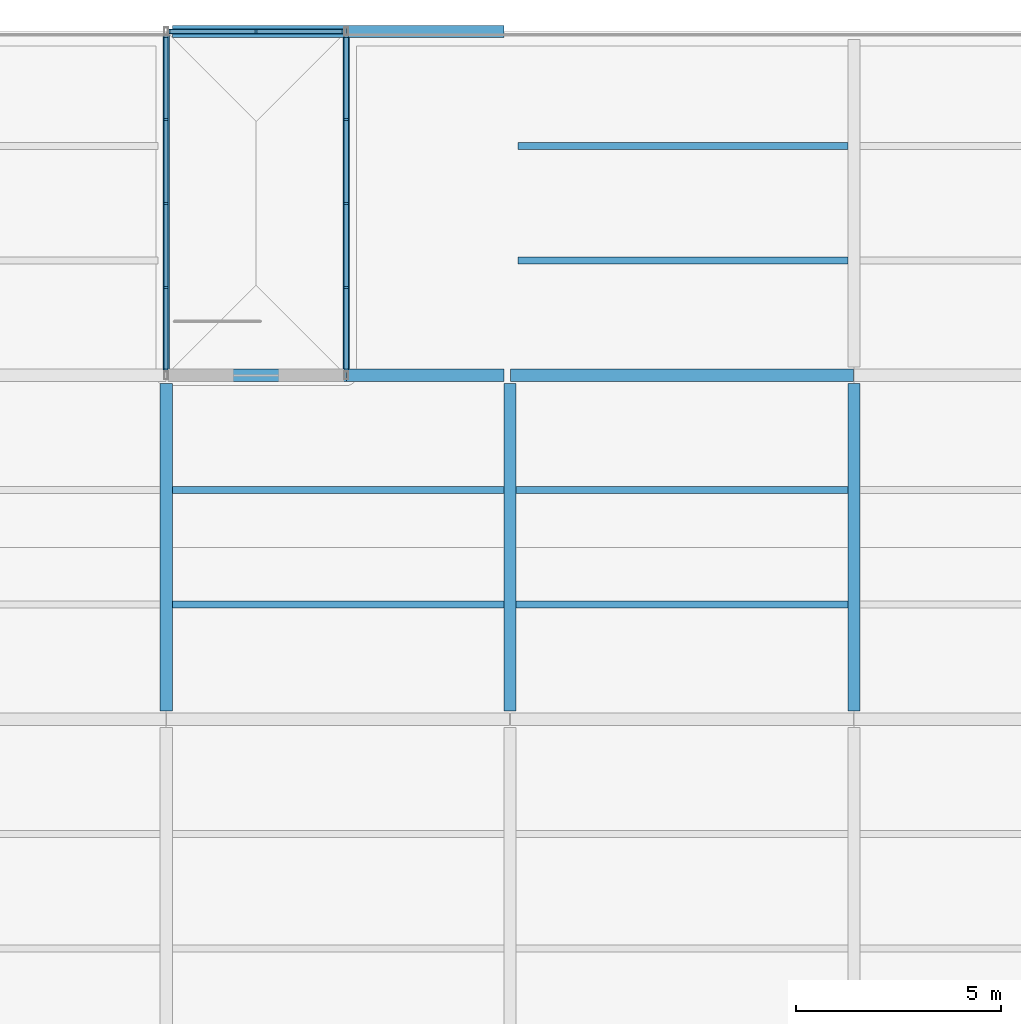
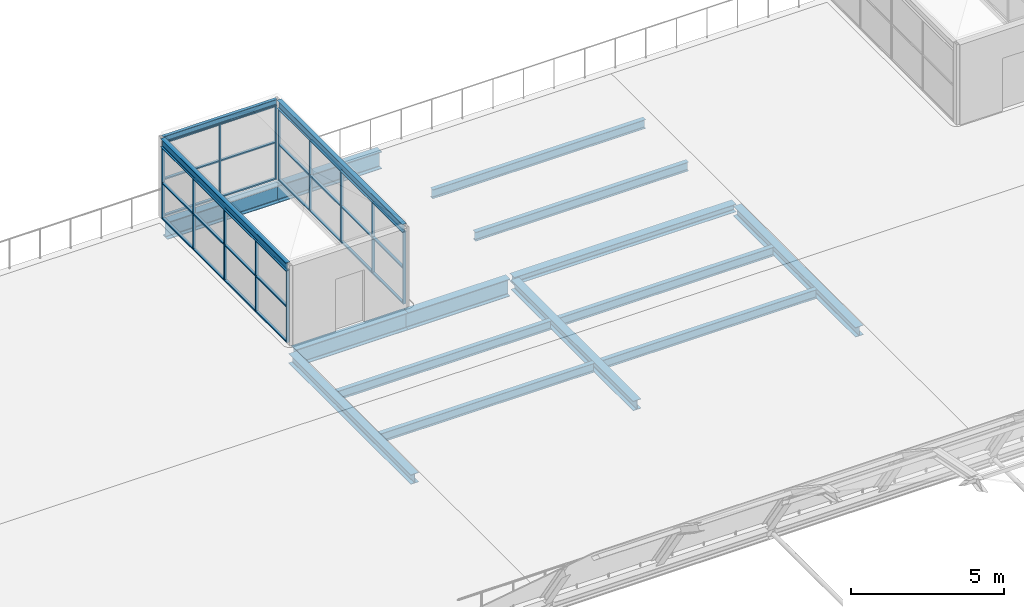
# One storey, part 20 of 58: 43 members, 17 beams, 3 elements without a shape of their own.
"""IFC4 building model written with IfcOpenShell, lengths in metres."""

from ifc_helpers import new_model, si_unit, direction, frame, origin, origin_2d, place, context, subcontext, project, spatial, rectangle, i_section, extrude, material, layer, layer_set, material_profile, profile_set, type_object, element, aggregate, save


model = new_model("IFC4")

# Units and contexts
model_context = context("Model", 3, precision=1e-05, world=origin(), true_north=direction((0.0, 1.0)))
body_context = subcontext(model_context, "Body", "Model", "MODEL_VIEW")
ifc_project = project(units=[si_unit("LENGTHUNIT", "METRE"), si_unit("AREAUNIT", "SQUARE_METRE"), si_unit("VOLUMEUNIT", "CUBIC_METRE"), si_unit("PLANEANGLEUNIT", "RADIAN"), si_unit("MASSUNIT", "GRAM", prefix="KILO")], contexts=[model_context])

# Site, building, storey
site_placement = place(None, origin())
site = spatial("IfcSite", under=ifc_project, at=site_placement, CompositionType="ELEMENT")
building_placement = place(site_placement, origin())
building = spatial("IfcBuilding", under=site, at=building_placement, Name="Galleria Vessillo Department Store", CompositionType="ELEMENT")
storey_placement = place(building_placement, frame((0.0, 0.0, 31.199951171875)))
storey = spatial("IfcBuildingStorey", under=building, at=storey_placement, Name="L06", CompositionType="ELEMENT", Elevation=31.199951171875)

# Curtain wall, members
ifc_material_1 = material(Name="Aluminium and glass curtain wall", Category="aluminium")
ifc_layer = layer(ifc_material_1, 0.10009765625)
ifc_layer_set = layer_set([ifc_layer], Name="Aluminium and glass curtain wall")
curtain_wall_type = type_object("IfcCurtainWallType", Name="Pavilion curtain wall CW5 2100 module", PredefinedType="NOTDEFINED", material=ifc_layer_set)
curtain_wall_1_placement = place(storey_placement, origin())
curtain_wall_1 = element("IfcCurtainWall", 1, at=curtain_wall_1_placement, inside=storey, type_object=curtain_wall_type, Name="Pavilion curtain wall CW5 2100 module PV-ST4-A", PredefinedType="NOTDEFINED")
ifc_material_2 = material(Name="Aluminium alloy 6063 T6", Category="aluminium")
ifc_material_profile_1 = material_profile(ifc_material_2, rectangle(XDim=0.10009765625, YDim=0.050048828125, at=origin_2d()), Name="AL 50x100")
ifc_profile_set_1 = profile_set([ifc_material_profile_1], Name="Aluminium alloy 6063 T6")
member_type_1 = type_object("IfcMemberType", Name="Aluminium mullion 50 x 100", PredefinedType="MULLION", material=ifc_profile_set_1)
member_1_placement = place(storey_placement, frame((33.60009765625, 54.72509765625, 0.0), z_axis=(0.0, 0.0, 1.0), x_axis=(-1.0, 0.0, 0.0)))
member_1 = element("IfcMember", 2, at=member_1_placement, type_object=member_type_1, Name="CW5 mullion 1", PredefinedType="MULLION", context=body_context, shape_type="SweptSolid", body=[
    extrude(rectangle(XDim=0.10009765625, YDim=0.050048828125, at=origin_2d()), origin(), (0.0, 0.0, 1.0), 2.8701171875),
])
member_2_placement = place(storey_placement, frame((33.60009765625, 56.75, 0.0), z_axis=(0.0, 0.0, 1.0), x_axis=(-1.0, 0.0, 0.0)))
member_2 = element("IfcMember", 3, at=member_2_placement, type_object=member_type_1, Name="CW5 mullion 2", PredefinedType="MULLION", context=body_context, shape_type="SweptSolid", body=[
    extrude(rectangle(XDim=0.10009765625, YDim=0.050048828125, at=origin_2d()), origin(), (0.0, 0.0, 1.0), 2.8701171875),
])
member_3_placement = place(storey_placement, frame((33.60009765625, 58.800048828125, 0.0), z_axis=(0.0, 0.0, 1.0), x_axis=(-1.0, 0.0, 0.0)))
member_3 = element("IfcMember", 4, at=member_3_placement, type_object=member_type_1, Name="CW5 mullion 3", PredefinedType="MULLION", context=body_context, shape_type="SweptSolid", body=[
    extrude(rectangle(XDim=0.10009765625, YDim=0.050048828125, at=origin_2d()), origin(), (0.0, 0.0, 1.0), 2.8701171875),
])
member_4_placement = place(storey_placement, frame((33.60009765625, 60.85009765625, 0.0), z_axis=(0.0, 0.0, 1.0), x_axis=(-1.0, 0.0, 0.0)))
member_4 = element("IfcMember", 5, at=member_4_placement, type_object=member_type_1, Name="CW5 mullion 4", PredefinedType="MULLION", context=body_context, shape_type="SweptSolid", body=[
    extrude(rectangle(XDim=0.10009765625, YDim=0.050048828125, at=origin_2d()), origin(), (0.0, 0.0, 1.0), 2.8701171875),
])
member_5_placement = place(storey_placement, frame((33.60009765625, 62.875, 0.0), z_axis=(0.0, 0.0, 1.0), x_axis=(-1.0, 0.0, 0.0)))
member_5 = element("IfcMember", 6, at=member_5_placement, type_object=member_type_1, Name="CW5 mullion 5", PredefinedType="MULLION", context=body_context, shape_type="SweptSolid", body=[
    extrude(rectangle(XDim=0.10009765625, YDim=0.050048828125, at=origin_2d()), origin(), (0.0, 0.0, 1.0), 2.8701171875),
])

curtain_wall_2_placement = place(storey_placement, origin())
curtain_wall_2 = element("IfcCurtainWall", 7, at=curtain_wall_2_placement, inside=storey, type_object=curtain_wall_type, Name="Pavilion curtain wall CW5 2100 module PV-ST4-B", PredefinedType="NOTDEFINED")
member_6_placement = place(storey_placement, frame((38.0, 54.72509765625, 0.0), z_axis=(0.0, 0.0, 1.0), x_axis=(-1.0, 0.0, 0.0)))
member_6 = element("IfcMember", 8, at=member_6_placement, type_object=member_type_1, Name="CW5 mullion 1", PredefinedType="MULLION", context=body_context, shape_type="SweptSolid", body=[
    extrude(rectangle(XDim=0.10009765625, YDim=0.050048828125, at=origin_2d()), origin(), (0.0, 0.0, 1.0), 2.8701171875),
])
member_7_placement = place(storey_placement, frame((38.0, 56.75, 0.0), z_axis=(0.0, 0.0, 1.0), x_axis=(-1.0, 0.0, 0.0)))
member_7 = element("IfcMember", 9, at=member_7_placement, type_object=member_type_1, Name="CW5 mullion 2", PredefinedType="MULLION", context=body_context, shape_type="SweptSolid", body=[
    extrude(rectangle(XDim=0.10009765625, YDim=0.050048828125, at=origin_2d()), origin(), (0.0, 0.0, 1.0), 2.8701171875),
])
member_8_placement = place(storey_placement, frame((38.0, 58.800048828125, 0.0), z_axis=(0.0, 0.0, 1.0), x_axis=(-1.0, 0.0, 0.0)))
member_8 = element("IfcMember", 10, at=member_8_placement, type_object=member_type_1, Name="CW5 mullion 3", PredefinedType="MULLION", context=body_context, shape_type="SweptSolid", body=[
    extrude(rectangle(XDim=0.10009765625, YDim=0.050048828125, at=origin_2d()), origin(), (0.0, 0.0, 1.0), 2.8701171875),
])
member_9_placement = place(storey_placement, frame((38.0, 60.85009765625, 0.0), z_axis=(0.0, 0.0, 1.0), x_axis=(-1.0, 0.0, 0.0)))
member_9 = element("IfcMember", 11, at=member_9_placement, type_object=member_type_1, Name="CW5 mullion 4", PredefinedType="MULLION", context=body_context, shape_type="SweptSolid", body=[
    extrude(rectangle(XDim=0.10009765625, YDim=0.050048828125, at=origin_2d()), origin(), (0.0, 0.0, 1.0), 2.8701171875),
])
member_10_placement = place(storey_placement, frame((38.0, 62.875, 0.0), z_axis=(0.0, 0.0, 1.0), x_axis=(-1.0, 0.0, 0.0)))
member_10 = element("IfcMember", 12, at=member_10_placement, type_object=member_type_1, Name="CW5 mullion 5", PredefinedType="MULLION", context=body_context, shape_type="SweptSolid", body=[
    extrude(rectangle(XDim=0.10009765625, YDim=0.050048828125, at=origin_2d()), origin(), (0.0, 0.0, 1.0), 2.8701171875),
])

curtain_wall_3_placement = place(storey_placement, origin())
curtain_wall_3 = element("IfcCurtainWall", 13, at=curtain_wall_3_placement, inside=storey, type_object=curtain_wall_type, Name="Pavilion curtain wall CW5 2100 module PV-ST4-F", PredefinedType="NOTDEFINED")
member_11_placement = place(storey_placement, frame((33.675048828125, 63.0, 0.0), z_axis=(0.0, 0.0, 1.0), x_axis=(0.0, 1.0, 0.0)))
member_11 = element("IfcMember", 14, at=member_11_placement, type_object=member_type_1, Name="CW5 mullion 1", PredefinedType="MULLION", context=body_context, shape_type="SweptSolid", body=[
    extrude(rectangle(XDim=0.10009765625, YDim=0.050048828125, at=origin_2d()), origin(), (0.0, 0.0, 1.0), 2.960205078125),
])
member_12_placement = place(storey_placement, frame((35.800048828125, 63.0, 0.0), z_axis=(0.0, 0.0, 1.0), x_axis=(0.0, 1.0, 0.0)))
member_12 = element("IfcMember", 15, at=member_12_placement, type_object=member_type_1, Name="CW5 mullion 2", PredefinedType="MULLION", context=body_context, shape_type="SweptSolid", body=[
    extrude(rectangle(XDim=0.10009765625, YDim=0.050048828125, at=origin_2d()), origin(), (0.0, 0.0, 1.0), 2.960205078125),
])
member_13_placement = place(storey_placement, frame((37.925048828125, 63.0, 0.0), z_axis=(0.0, 0.0, 1.0), x_axis=(0.0, 1.0, 0.0)))
member_13 = element("IfcMember", 16, at=member_13_placement, type_object=member_type_1, Name="CW5 mullion 3", PredefinedType="MULLION", context=body_context, shape_type="SweptSolid", body=[
    extrude(rectangle(XDim=0.10009765625, YDim=0.050048828125, at=origin_2d()), origin(), (0.0, 0.0, 1.0), 2.960205078125),
])

# Member
ifc_material_3 = material(Name="Aluminium alloy 6063 T6", Category="aluminium")
ifc_material_profile_2 = material_profile(ifc_material_3, rectangle(XDim=0.10009765625, YDim=0.050048828125, at=origin_2d()), Name="AL 50x100")
ifc_profile_set_2 = profile_set([ifc_material_profile_2], Name="Aluminium alloy 6063 T6")
member_type_2 = type_object("IfcMemberType", Name="Aluminium transom 50 x 100", PredefinedType="USERDEFINED", material=ifc_profile_set_2)
member_14_placement = place(storey_placement, frame((33.60009765625, 54.75, 0.025146484375), z_axis=(0.0, 1.0, 0.0), x_axis=(-1.0, 0.0, 0.0)))
member_14 = element("IfcMember", 17, at=member_14_placement, type_object=member_type_2, Name="CW5 transom 1.1", ObjectType="TRANSOM", PredefinedType="USERDEFINED", context=body_context, shape_type="SweptSolid", body=[
    extrude(rectangle(XDim=0.10009765625, YDim=0.050048828125, at=origin_2d()), origin(), (0.0, 0.0, 1.0), 1.97509765625),
])

member_15_placement = place(storey_placement, frame((33.60009765625, 54.75, 1.43505859375), z_axis=(0.0, 1.0, 0.0), x_axis=(-1.0, 0.0, 0.0)))
member_15 = element("IfcMember", 18, at=member_15_placement, type_object=member_type_2, Name="CW5 transom 1.2", ObjectType="TRANSOM", PredefinedType="USERDEFINED", context=body_context, shape_type="SweptSolid", body=[
    extrude(rectangle(XDim=0.10009765625, YDim=0.050048828125, at=origin_2d()), origin(), (0.0, 0.0, 1.0), 1.97509765625),
])

member_16_placement = place(storey_placement, frame((33.60009765625, 54.75, 2.84521484375), z_axis=(0.0, 1.0, 0.0), x_axis=(-1.0, 0.0, 0.0)))
member_16 = element("IfcMember", 19, at=member_16_placement, type_object=member_type_2, Name="CW5 transom 1.3", ObjectType="TRANSOM", PredefinedType="USERDEFINED", context=body_context, shape_type="SweptSolid", body=[
    extrude(rectangle(XDim=0.10009765625, YDim=0.050048828125, at=origin_2d()), origin(), (0.0, 0.0, 1.0), 1.97509765625),
])

member_17_placement = place(storey_placement, frame((33.60009765625, 56.775146484375, 0.025146484375), z_axis=(0.0, 1.0, 0.0), x_axis=(-1.0, 0.0, 0.0)))
member_17 = element("IfcMember", 20, at=member_17_placement, type_object=member_type_2, Name="CW5 transom 2.1", ObjectType="TRANSOM", PredefinedType="USERDEFINED", context=body_context, shape_type="SweptSolid", body=[
    extrude(rectangle(XDim=0.10009765625, YDim=0.050048828125, at=origin_2d()), origin(), (0.0, 0.0, 1.0), 2.0),
])

member_18_placement = place(storey_placement, frame((33.60009765625, 56.775146484375, 1.43505859375), z_axis=(0.0, 1.0, 0.0), x_axis=(-1.0, 0.0, 0.0)))
member_18 = element("IfcMember", 21, at=member_18_placement, type_object=member_type_2, Name="CW5 transom 2.2", ObjectType="TRANSOM", PredefinedType="USERDEFINED", context=body_context, shape_type="SweptSolid", body=[
    extrude(rectangle(XDim=0.10009765625, YDim=0.050048828125, at=origin_2d()), origin(), (0.0, 0.0, 1.0), 2.0),
])

member_19_placement = place(storey_placement, frame((33.60009765625, 56.775146484375, 2.84521484375), z_axis=(0.0, 1.0, 0.0), x_axis=(-1.0, 0.0, 0.0)))
member_19 = element("IfcMember", 22, at=member_19_placement, type_object=member_type_2, Name="CW5 transom 2.3", ObjectType="TRANSOM", PredefinedType="USERDEFINED", context=body_context, shape_type="SweptSolid", body=[
    extrude(rectangle(XDim=0.10009765625, YDim=0.050048828125, at=origin_2d()), origin(), (0.0, 0.0, 1.0), 2.0),
])

member_20_placement = place(storey_placement, frame((33.60009765625, 58.824951171875, 0.025146484375), z_axis=(0.0, 1.0, 0.0), x_axis=(-1.0, 0.0, 0.0)))
member_20 = element("IfcMember", 23, at=member_20_placement, type_object=member_type_2, Name="CW5 transom 3.1", ObjectType="TRANSOM", PredefinedType="USERDEFINED", context=body_context, shape_type="SweptSolid", body=[
    extrude(rectangle(XDim=0.10009765625, YDim=0.050048828125, at=origin_2d()), origin(), (0.0, 0.0, 1.0), 2.0),
])

member_21_placement = place(storey_placement, frame((33.60009765625, 58.824951171875, 1.43505859375), z_axis=(0.0, 1.0, 0.0), x_axis=(-1.0, 0.0, 0.0)))
member_21 = element("IfcMember", 24, at=member_21_placement, type_object=member_type_2, Name="CW5 transom 3.2", ObjectType="TRANSOM", PredefinedType="USERDEFINED", context=body_context, shape_type="SweptSolid", body=[
    extrude(rectangle(XDim=0.10009765625, YDim=0.050048828125, at=origin_2d()), origin(), (0.0, 0.0, 1.0), 2.0),
])

member_22_placement = place(storey_placement, frame((33.60009765625, 58.824951171875, 2.84521484375), z_axis=(0.0, 1.0, 0.0), x_axis=(-1.0, 0.0, 0.0)))
member_22 = element("IfcMember", 25, at=member_22_placement, type_object=member_type_2, Name="CW5 transom 3.3", ObjectType="TRANSOM", PredefinedType="USERDEFINED", context=body_context, shape_type="SweptSolid", body=[
    extrude(rectangle(XDim=0.10009765625, YDim=0.050048828125, at=origin_2d()), origin(), (0.0, 0.0, 1.0), 2.0),
])

member_23_placement = place(storey_placement, frame((33.60009765625, 60.875, 0.025146484375), z_axis=(0.0, 1.0, 0.0), x_axis=(-1.0, 0.0, 0.0)))
member_23 = element("IfcMember", 26, at=member_23_placement, type_object=member_type_2, Name="CW5 transom 4.1", ObjectType="TRANSOM", PredefinedType="USERDEFINED", context=body_context, shape_type="SweptSolid", body=[
    extrude(rectangle(XDim=0.10009765625, YDim=0.050048828125, at=origin_2d()), origin(), (0.0, 0.0, 1.0), 1.97509765625),
])

member_24_placement = place(storey_placement, frame((33.60009765625, 60.875, 1.43505859375), z_axis=(0.0, 1.0, 0.0), x_axis=(-1.0, 0.0, 0.0)))
member_24 = element("IfcMember", 27, at=member_24_placement, type_object=member_type_2, Name="CW5 transom 4.2", ObjectType="TRANSOM", PredefinedType="USERDEFINED", context=body_context, shape_type="SweptSolid", body=[
    extrude(rectangle(XDim=0.10009765625, YDim=0.050048828125, at=origin_2d()), origin(), (0.0, 0.0, 1.0), 1.97509765625),
])

member_25_placement = place(storey_placement, frame((33.60009765625, 60.875, 2.84521484375), z_axis=(0.0, 1.0, 0.0), x_axis=(-1.0, 0.0, 0.0)))
member_25 = element("IfcMember", 28, at=member_25_placement, type_object=member_type_2, Name="CW5 transom 4.3", ObjectType="TRANSOM", PredefinedType="USERDEFINED", context=body_context, shape_type="SweptSolid", body=[
    extrude(rectangle(XDim=0.10009765625, YDim=0.050048828125, at=origin_2d()), origin(), (0.0, 0.0, 1.0), 1.97509765625),
])

aggregate(curtain_wall_1, [member_1, member_2, member_3, member_4, member_5, member_14, member_15, member_16, member_17, member_18, member_19, member_20, member_21, member_22, member_23, member_24, member_25])

member_26_placement = place(storey_placement, frame((38.0, 54.75, 0.025146484375), z_axis=(0.0, 1.0, 0.0), x_axis=(-1.0, 0.0, 0.0)))
member_26 = element("IfcMember", 29, at=member_26_placement, type_object=member_type_2, Name="CW5 transom 1.1", ObjectType="TRANSOM", PredefinedType="USERDEFINED", context=body_context, shape_type="SweptSolid", body=[
    extrude(rectangle(XDim=0.10009765625, YDim=0.050048828125, at=origin_2d()), origin(), (0.0, 0.0, 1.0), 1.97509765625),
])

member_27_placement = place(storey_placement, frame((38.0, 54.75, 1.43505859375), z_axis=(0.0, 1.0, 0.0), x_axis=(-1.0, 0.0, 0.0)))
member_27 = element("IfcMember", 30, at=member_27_placement, type_object=member_type_2, Name="CW5 transom 1.2", ObjectType="TRANSOM", PredefinedType="USERDEFINED", context=body_context, shape_type="SweptSolid", body=[
    extrude(rectangle(XDim=0.10009765625, YDim=0.050048828125, at=origin_2d()), origin(), (0.0, 0.0, 1.0), 1.97509765625),
])

member_28_placement = place(storey_placement, frame((38.0, 54.75, 2.84521484375), z_axis=(0.0, 1.0, 0.0), x_axis=(-1.0, 0.0, 0.0)))
member_28 = element("IfcMember", 31, at=member_28_placement, type_object=member_type_2, Name="CW5 transom 1.3", ObjectType="TRANSOM", PredefinedType="USERDEFINED", context=body_context, shape_type="SweptSolid", body=[
    extrude(rectangle(XDim=0.10009765625, YDim=0.050048828125, at=origin_2d()), origin(), (0.0, 0.0, 1.0), 1.97509765625),
])

member_29_placement = place(storey_placement, frame((38.0, 56.775146484375, 0.025146484375), z_axis=(0.0, 1.0, 0.0), x_axis=(-1.0, 0.0, 0.0)))
member_29 = element("IfcMember", 32, at=member_29_placement, type_object=member_type_2, Name="CW5 transom 2.1", ObjectType="TRANSOM", PredefinedType="USERDEFINED", context=body_context, shape_type="SweptSolid", body=[
    extrude(rectangle(XDim=0.10009765625, YDim=0.050048828125, at=origin_2d()), origin(), (0.0, 0.0, 1.0), 2.0),
])

member_30_placement = place(storey_placement, frame((38.0, 56.775146484375, 1.43505859375), z_axis=(0.0, 1.0, 0.0), x_axis=(-1.0, 0.0, 0.0)))
member_30 = element("IfcMember", 33, at=member_30_placement, type_object=member_type_2, Name="CW5 transom 2.2", ObjectType="TRANSOM", PredefinedType="USERDEFINED", context=body_context, shape_type="SweptSolid", body=[
    extrude(rectangle(XDim=0.10009765625, YDim=0.050048828125, at=origin_2d()), origin(), (0.0, 0.0, 1.0), 2.0),
])

member_31_placement = place(storey_placement, frame((38.0, 56.775146484375, 2.84521484375), z_axis=(0.0, 1.0, 0.0), x_axis=(-1.0, 0.0, 0.0)))
member_31 = element("IfcMember", 34, at=member_31_placement, type_object=member_type_2, Name="CW5 transom 2.3", ObjectType="TRANSOM", PredefinedType="USERDEFINED", context=body_context, shape_type="SweptSolid", body=[
    extrude(rectangle(XDim=0.10009765625, YDim=0.050048828125, at=origin_2d()), origin(), (0.0, 0.0, 1.0), 2.0),
])

member_32_placement = place(storey_placement, frame((38.0, 58.824951171875, 0.025146484375), z_axis=(0.0, 1.0, 0.0), x_axis=(-1.0, 0.0, 0.0)))
member_32 = element("IfcMember", 35, at=member_32_placement, type_object=member_type_2, Name="CW5 transom 3.1", ObjectType="TRANSOM", PredefinedType="USERDEFINED", context=body_context, shape_type="SweptSolid", body=[
    extrude(rectangle(XDim=0.10009765625, YDim=0.050048828125, at=origin_2d()), origin(), (0.0, 0.0, 1.0), 2.0),
])

member_33_placement = place(storey_placement, frame((38.0, 58.824951171875, 1.43505859375), z_axis=(0.0, 1.0, 0.0), x_axis=(-1.0, 0.0, 0.0)))
member_33 = element("IfcMember", 36, at=member_33_placement, type_object=member_type_2, Name="CW5 transom 3.2", ObjectType="TRANSOM", PredefinedType="USERDEFINED", context=body_context, shape_type="SweptSolid", body=[
    extrude(rectangle(XDim=0.10009765625, YDim=0.050048828125, at=origin_2d()), origin(), (0.0, 0.0, 1.0), 2.0),
])

member_34_placement = place(storey_placement, frame((38.0, 58.824951171875, 2.84521484375), z_axis=(0.0, 1.0, 0.0), x_axis=(-1.0, 0.0, 0.0)))
member_34 = element("IfcMember", 37, at=member_34_placement, type_object=member_type_2, Name="CW5 transom 3.3", ObjectType="TRANSOM", PredefinedType="USERDEFINED", context=body_context, shape_type="SweptSolid", body=[
    extrude(rectangle(XDim=0.10009765625, YDim=0.050048828125, at=origin_2d()), origin(), (0.0, 0.0, 1.0), 2.0),
])

member_35_placement = place(storey_placement, frame((38.0, 60.875, 0.025146484375), z_axis=(0.0, 1.0, 0.0), x_axis=(-1.0, 0.0, 0.0)))
member_35 = element("IfcMember", 38, at=member_35_placement, type_object=member_type_2, Name="CW5 transom 4.1", ObjectType="TRANSOM", PredefinedType="USERDEFINED", context=body_context, shape_type="SweptSolid", body=[
    extrude(rectangle(XDim=0.10009765625, YDim=0.050048828125, at=origin_2d()), origin(), (0.0, 0.0, 1.0), 1.97509765625),
])

member_36_placement = place(storey_placement, frame((38.0, 60.875, 1.43505859375), z_axis=(0.0, 1.0, 0.0), x_axis=(-1.0, 0.0, 0.0)))
member_36 = element("IfcMember", 39, at=member_36_placement, type_object=member_type_2, Name="CW5 transom 4.2", ObjectType="TRANSOM", PredefinedType="USERDEFINED", context=body_context, shape_type="SweptSolid", body=[
    extrude(rectangle(XDim=0.10009765625, YDim=0.050048828125, at=origin_2d()), origin(), (0.0, 0.0, 1.0), 1.97509765625),
])

member_37_placement = place(storey_placement, frame((38.0, 60.875, 2.84521484375), z_axis=(0.0, 1.0, 0.0), x_axis=(-1.0, 0.0, 0.0)))
member_37 = element("IfcMember", 40, at=member_37_placement, type_object=member_type_2, Name="CW5 transom 4.3", ObjectType="TRANSOM", PredefinedType="USERDEFINED", context=body_context, shape_type="SweptSolid", body=[
    extrude(rectangle(XDim=0.10009765625, YDim=0.050048828125, at=origin_2d()), origin(), (0.0, 0.0, 1.0), 1.97509765625),
])

aggregate(curtain_wall_2, [member_6, member_7, member_8, member_9, member_10, member_26, member_27, member_28, member_29, member_30, member_31, member_32, member_33, member_34, member_35, member_36, member_37])

member_38_placement = place(storey_placement, frame((33.7001953125, 63.0, 0.025146484375), z_axis=(1.0, 0.0, 0.0), x_axis=(0.0, 1.0, 0.0)))
member_38 = element("IfcMember", 41, at=member_38_placement, type_object=member_type_2, Name="CW5 transom 1.1", ObjectType="TRANSOM", PredefinedType="USERDEFINED", context=body_context, shape_type="SweptSolid", body=[
    extrude(rectangle(XDim=0.10009765625, YDim=0.050048828125, at=origin_2d()), origin(), (0.0, 0.0, 1.0), 2.074951171875),
])

member_39_placement = place(storey_placement, frame((33.7001953125, 63.0, 1.480224609375), z_axis=(1.0, 0.0, 0.0), x_axis=(0.0, 1.0, 0.0)))
member_39 = element("IfcMember", 42, at=member_39_placement, type_object=member_type_2, Name="CW5 transom 1.2", ObjectType="TRANSOM", PredefinedType="USERDEFINED", context=body_context, shape_type="SweptSolid", body=[
    extrude(rectangle(XDim=0.10009765625, YDim=0.050048828125, at=origin_2d()), origin(), (0.0, 0.0, 1.0), 2.074951171875),
])

member_40_placement = place(storey_placement, frame((33.7001953125, 63.0, 2.935302734375), z_axis=(1.0, 0.0, 0.0), x_axis=(0.0, 1.0, 0.0)))
member_40 = element("IfcMember", 43, at=member_40_placement, type_object=member_type_2, Name="CW5 transom 1.3", ObjectType="TRANSOM", PredefinedType="USERDEFINED", context=body_context, shape_type="SweptSolid", body=[
    extrude(rectangle(XDim=0.10009765625, YDim=0.050048828125, at=origin_2d()), origin(), (0.0, 0.0, 1.0), 2.074951171875),
])

member_41_placement = place(storey_placement, frame((35.824951171875, 63.0, 0.025146484375), z_axis=(1.0, 0.0, 0.0), x_axis=(0.0, 1.0, 0.0)))
member_41 = element("IfcMember", 44, at=member_41_placement, type_object=member_type_2, Name="CW5 transom 2.1", ObjectType="TRANSOM", PredefinedType="USERDEFINED", context=body_context, shape_type="SweptSolid", body=[
    extrude(rectangle(XDim=0.10009765625, YDim=0.050048828125, at=origin_2d()), origin(), (0.0, 0.0, 1.0), 2.074951171875),
])

member_42_placement = place(storey_placement, frame((35.824951171875, 63.0, 1.480224609375), z_axis=(1.0, 0.0, 0.0), x_axis=(0.0, 1.0, 0.0)))
member_42 = element("IfcMember", 45, at=member_42_placement, type_object=member_type_2, Name="CW5 transom 2.2", ObjectType="TRANSOM", PredefinedType="USERDEFINED", context=body_context, shape_type="SweptSolid", body=[
    extrude(rectangle(XDim=0.10009765625, YDim=0.050048828125, at=origin_2d()), origin(), (0.0, 0.0, 1.0), 2.074951171875),
])

member_43_placement = place(storey_placement, frame((35.824951171875, 63.0, 2.935302734375), z_axis=(1.0, 0.0, 0.0), x_axis=(0.0, 1.0, 0.0)))
member_43 = element("IfcMember", 46, at=member_43_placement, type_object=member_type_2, Name="CW5 transom 2.3", ObjectType="TRANSOM", PredefinedType="USERDEFINED", context=body_context, shape_type="SweptSolid", body=[
    extrude(rectangle(XDim=0.10009765625, YDim=0.050048828125, at=origin_2d()), origin(), (0.0, 0.0, 1.0), 2.074951171875),
])

aggregate(curtain_wall_3, [member_11, member_12, member_13, member_38, member_39, member_40, member_41, member_42, member_43])

# Beams
ifc_material_4 = material(Name="Steel S355 J2", Category="steel")
ifc_material_profile_3 = material_profile(ifc_material_4, i_section(OverallWidth=0.300048828125, OverallDepth=0.389892578125, WebThickness=0.010986328125, FlangeThickness=0.01904296875, FilletRadius=0.027099609375, at=origin_2d()), Name="HEA 400")
ifc_profile_set_3 = profile_set([ifc_material_profile_3], Name="Steel S355 J2")
beam_type_1 = type_object("IfcBeamType", Name="Floor girder HEA 400", PredefinedType="BEAM", material=ifc_profile_set_3)
for number, where, z_axis, x_axis, name in (
    (47, (33.60009765625, 46.400146484375, -0.39501953125), (0.0, 1.0, 0.0), (-1.0, 0.0, 0.0), "S-BM-L06-GI-y33600-46400"),
    (48, (42.0, 46.400146484375, -0.39501953125), (0.0, 1.0, 0.0), (-1.0, 0.0, 0.0), "S-BM-L06-GI-y42000-46400"),
    (49, (50.39990234375, 46.400146484375, -0.39501953125), (0.0, 1.0, 0.0), (-1.0, 0.0, 0.0), "S-BM-L06-GI-y50400-46400"),
):
    element("IfcBeam", number, at=place(storey_placement, frame(where, z_axis=z_axis, x_axis=x_axis)), inside=storey, type_object=beam_type_1, Name=name, PredefinedType="BEAM", context=body_context, shape_type="SweptSolid", body=[
        extrude(i_section(OverallWidth=0.300048828125, OverallDepth=0.389892578125, WebThickness=0.010986328125, FlangeThickness=0.01904296875, FilletRadius=0.027099609375, at=origin_2d()), origin(), (0.0, 0.0, 1.0), 7.999755859375),
    ])
ifc_material_5 = material(Name="Steel S355 J2", Category="steel")
ifc_material_profile_4 = material_profile(ifc_material_5, i_section(OverallWidth=0.169921875, OverallDepth=0.360107421875, WebThickness=0.008056640625, FlangeThickness=0.0126953125, FilletRadius=0.01806640625, at=origin_2d()), Name="IPE 360")
ifc_profile_set_4 = profile_set([ifc_material_profile_4], Name="Steel S355 J2")
beam_type_2 = type_object("IfcBeamType", Name="Floor joist IPE 360", PredefinedType="JOIST", material=ifc_profile_set_4)
for number, where, z_axis, x_axis, name in (
    (50, (33.750244140625, 49.0, -0.3798828125), (1.0, 0.0, 0.0), (0.0, 1.0, 0.0), "S-BM-L06-JO-x49000-33750"),
    (51, (33.750244140625, 51.800048828125, -0.3798828125), (1.0, 0.0, 0.0), (0.0, 1.0, 0.0), "S-BM-L06-JO-x51800-33750"),
    (52, (42.150146484375, 49.0, -0.3798828125), (1.0, 0.0, 0.0), (0.0, 1.0, 0.0), "S-BM-L06-JO-x49000-42150"),
    (53, (42.150146484375, 51.800048828125, -0.3798828125), (1.0, 0.0, 0.0), (0.0, 1.0, 0.0), "S-BM-L06-JO-x51800-42150"),
):
    element("IfcBeam", number, at=place(storey_placement, frame(where, z_axis=z_axis, x_axis=x_axis)), inside=storey, type_object=beam_type_2, Name=name, PredefinedType="JOIST", context=body_context, shape_type="SweptSolid", body=[
        extrude(i_section(OverallWidth=0.169921875, OverallDepth=0.360107421875, WebThickness=0.008056640625, FlangeThickness=0.0126953125, FilletRadius=0.01806640625, at=origin_2d()), origin(), (0.0, 0.0, 1.0), 8.099609375),
    ])
for number, where, z_axis, x_axis, name in (
    (54, (42.2001953125, 57.39990234375, -0.3798828125), (1.0, 0.0, 0.0), (0.0, 1.0, 0.0), "S-BM-L06-JO-x57400-42200"),
    (55, (42.2001953125, 60.199951171875, -0.3798828125), (1.0, 0.0, 0.0), (0.0, 1.0, 0.0), "S-BM-L06-JO-x60200-42200"),
):
    element("IfcBeam", number, at=place(storey_placement, frame(where, z_axis=z_axis, x_axis=x_axis)), inside=storey, type_object=beam_type_2, Name=name, PredefinedType="JOIST", context=body_context, shape_type="SweptSolid", body=[
        extrude(i_section(OverallWidth=0.169921875, OverallDepth=0.360107421875, WebThickness=0.008056640625, FlangeThickness=0.0126953125, FilletRadius=0.01806640625, at=origin_2d()), origin(), (0.0, 0.0, 1.0), 8.049560546875),
    ])
ifc_material_6 = material(Name="Steel S355 J2", Category="steel")
ifc_material_profile_5 = material_profile(ifc_material_6, i_section(OverallWidth=0.300048828125, OverallDepth=0.31005859375, WebThickness=0.009033203125, FlangeThickness=0.015380859375, FilletRadius=0.027099609375, at=origin_2d()), Name="HEA 320")
ifc_profile_set_5 = profile_set([ifc_material_profile_5], Name="Steel S355 J2")
beam_type_3 = type_object("IfcBeamType", Name="Floor tie girder HEA 320", PredefinedType="BEAM", material=ifc_profile_set_5)
beam_1_placement = place(storey_placement, frame((42.0068359375, 54.60009765625, -0.35498046875), z_axis=(1.0, 0.0, 0.0), x_axis=(0.0, 1.0, 0.0)))
element("IfcBeam", 56, at=beam_1_placement, inside=storey, type_object=beam_type_3, Name="S-BM-L06-TI-x54600-42007", PredefinedType="BEAM", context=body_context, shape_type="SweptSolid", body=[
    extrude(i_section(OverallWidth=0.300048828125, OverallDepth=0.31005859375, WebThickness=0.009033203125, FlangeThickness=0.015380859375, FilletRadius=0.027099609375, at=origin_2d()), origin(), (0.0, 0.0, 1.0), 8.38623046875),
])
ifc_material_7 = material(Name="Steel S355 J2", Category="steel")
ifc_material_profile_6 = material_profile(ifc_material_7, i_section(OverallWidth=0.300048828125, OverallDepth=0.68994140625, WebThickness=0.014404296875, FlangeThickness=0.027099609375, FilletRadius=0.027099609375, at=origin_2d()), Name="HEA 700")
ifc_profile_set_6 = profile_set([ifc_material_profile_6], Name="Steel S355 J2")
beam_type_4 = type_object("IfcBeamType", Name="Pavilion base beam HEA 700", PredefinedType="BEAM", material=ifc_profile_set_6)
beam_2_placement = place(storey_placement, frame((33.750244140625, 63.0, -0.544921875), z_axis=(1.0, 0.0, 0.0), x_axis=(0.0, 1.0, 0.0)))
element("IfcBeam", 57, at=beam_2_placement, inside=storey, type_object=beam_type_4, Name="S-BB-ST4-PE1", PredefinedType="BEAM", context=body_context, shape_type="SweptSolid", body=[
    extrude(i_section(OverallWidth=0.300048828125, OverallDepth=0.68994140625, WebThickness=0.014404296875, FlangeThickness=0.027099609375, FilletRadius=0.027099609375, at=origin_2d()), origin(), (0.0, 0.0, 1.0), 4.24951171875),
])
beam_3_placement = place(storey_placement, frame((38.000244140625, 63.0, -0.544921875), z_axis=(1.0, 0.0, 0.0), x_axis=(0.0, 1.0, 0.0)))
element("IfcBeam", 58, at=beam_3_placement, inside=storey, type_object=beam_type_4, Name="S-BB-ST4-PE2", PredefinedType="BEAM", context=body_context, shape_type="SweptSolid", body=[
    extrude(i_section(OverallWidth=0.300048828125, OverallDepth=0.68994140625, WebThickness=0.014404296875, FlangeThickness=0.027099609375, FilletRadius=0.027099609375, at=origin_2d()), origin(), (0.0, 0.0, 1.0), 3.849609375),
])
beam_4_placement = place(storey_placement, frame((33.750244140625, 54.60009765625, -0.544921875), z_axis=(1.0, 0.0, 0.0), x_axis=(0.0, 1.0, 0.0)))
element("IfcBeam", 59, at=beam_4_placement, inside=storey, type_object=beam_type_4, Name="S-BB-ST4-DE1", PredefinedType="BEAM", context=body_context, shape_type="SweptSolid", body=[
    extrude(i_section(OverallWidth=0.300048828125, OverallDepth=0.68994140625, WebThickness=0.014404296875, FlangeThickness=0.027099609375, FilletRadius=0.027099609375, at=origin_2d()), origin(), (0.0, 0.0, 1.0), 4.24951171875),
])
beam_5_placement = place(storey_placement, frame((38.000244140625, 54.60009765625, -0.544921875), z_axis=(1.0, 0.0, 0.0), x_axis=(0.0, 1.0, 0.0)))
element("IfcBeam", 60, at=beam_5_placement, inside=storey, type_object=beam_type_4, Name="S-BB-ST4-DE2", PredefinedType="BEAM", context=body_context, shape_type="SweptSolid", body=[
    extrude(i_section(OverallWidth=0.300048828125, OverallDepth=0.68994140625, WebThickness=0.014404296875, FlangeThickness=0.027099609375, FilletRadius=0.027099609375, at=origin_2d()), origin(), (0.0, 0.0, 1.0), 3.849609375),
])
ifc_material_8 = material(Name="Steel S355 J2", Category="steel")
ifc_material_profile_7 = material_profile(ifc_material_8, i_section(OverallWidth=0.1201171875, OverallDepth=0.239990234375, WebThickness=0.006103515625, FlangeThickness=0.009765625, FilletRadius=0.014892578125, at=origin_2d()), Name="IPE 240")
ifc_profile_set_7 = profile_set([ifc_material_profile_7], Name="Steel S355 J2")
beam_type_5 = type_object("IfcBeamType", Name="Roof end beam IPE 240", PredefinedType="BEAM", material=ifc_profile_set_7)
beam_6_placement = place(storey_placement, frame((33.650146484375, 63.0, 3.080078125), z_axis=(1.0, 0.0, 0.0), x_axis=(0.0, 1.0, 0.0)))
element("IfcBeam", 61, at=beam_6_placement, inside=storey, type_object=beam_type_5, Name="S-RB-ST4-P", PredefinedType="BEAM", context=body_context, shape_type="SweptSolid", body=[
    extrude(i_section(OverallWidth=0.1201171875, OverallDepth=0.239990234375, WebThickness=0.006103515625, FlangeThickness=0.009765625, FilletRadius=0.014892578125, at=origin_2d()), origin(), (0.0, 0.0, 1.0), 4.2998046875),
])
ifc_material_9 = material(Name="Steel S355 J2", Category="steel")
ifc_material_profile_8 = material_profile(ifc_material_9, i_section(OverallWidth=0.159912109375, OverallDepth=0.330078125, WebThickness=0.007568359375, FlangeThickness=0.011474609375, FilletRadius=0.01806640625, at=origin_2d()), Name="IPE 330")
ifc_profile_set_8 = profile_set([ifc_material_profile_8], Name="Steel S355 J2")
beam_type_6 = type_object("IfcBeamType", Name="Roof side beam IPE 330", PredefinedType="BEAM", material=ifc_profile_set_8)
for number, where, z_axis, x_axis, name in (
    (62, (33.60009765625, 62.89990234375, 3.03515625), (0.0, -1.0, 0.0), (1.0, 0.0, 0.0), "S-RB-ST4-W"),
    (63, (38.0, 62.89990234375, 3.03515625), (0.0, -1.0, 0.0), (1.0, 0.0, 0.0), "S-RB-ST4-E"),
):
    element("IfcBeam", number, at=place(storey_placement, frame(where, z_axis=z_axis, x_axis=x_axis)), inside=storey, type_object=beam_type_6, Name=name, PredefinedType="BEAM", context=body_context, shape_type="SweptSolid", body=[
        extrude(i_section(OverallWidth=0.159912109375, OverallDepth=0.330078125, WebThickness=0.007568359375, FlangeThickness=0.011474609375, FilletRadius=0.01806640625, at=origin_2d()), origin(), (0.0, 0.0, 1.0), 8.19970703125),
    ])

save(model, "model.ifc")
